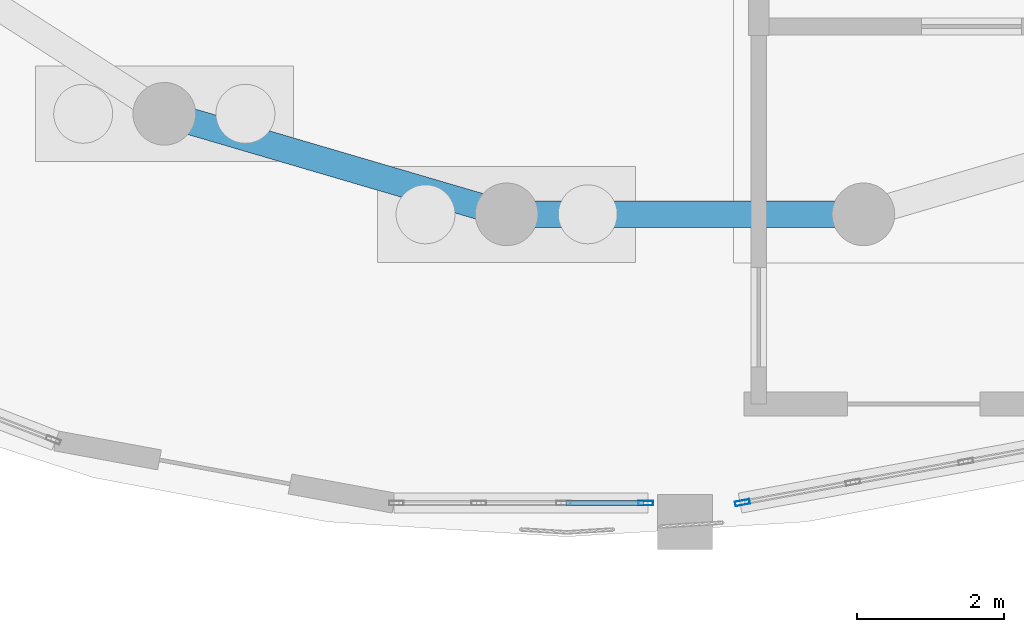
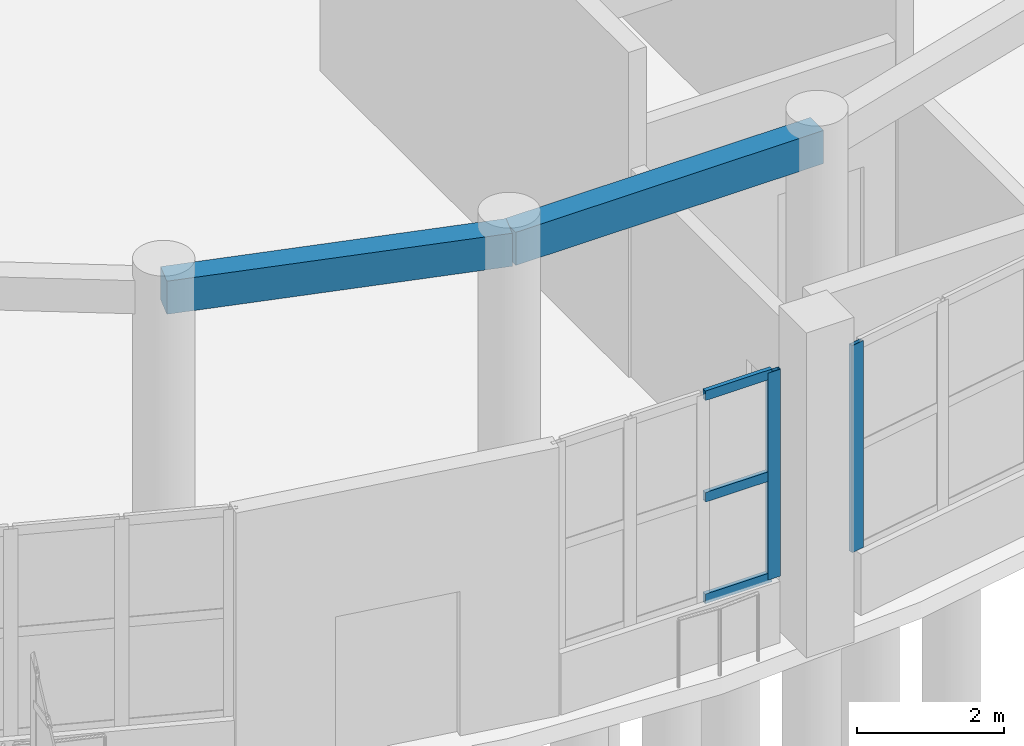
# One storey, part 25 of 96: 5 members, 2 beams, 2 elements without a shape of their own.
"""IFC4 building model written with IfcOpenShell, lengths in metres."""

from ifc_helpers import new_model, si_unit, direction, frame, origin, origin_2d, place, context, subcontext, project, spatial, rectangle, hollow_rectangle, extrude, material, layer, layer_set, material_profile, profile_set, type_object, element, aggregate, save


model = new_model("IFC4")

# Units and contexts
model_context = context("Model", 3, precision=1e-05, world=origin(), true_north=direction((0.0, 1.0)))
body_context = subcontext(model_context, "Body", "Model", "MODEL_VIEW")
ifc_project = project(units=[si_unit("LENGTHUNIT", "METRE"), si_unit("AREAUNIT", "SQUARE_METRE"), si_unit("VOLUMEUNIT", "CUBIC_METRE"), si_unit("PLANEANGLEUNIT", "RADIAN"), si_unit("MASSUNIT", "GRAM", prefix="KILO")], contexts=[model_context])

# Site, building, storey
site_placement = place(None, origin())
site = spatial("IfcSite", under=ifc_project, at=site_placement, CompositionType="ELEMENT")
building_placement = place(site_placement, origin())
building = spatial("IfcBuilding", under=site, at=building_placement, Name="Pelvatis Terrace Science Centre", CompositionType="ELEMENT")
storey_placement = place(building_placement, origin())
storey = spatial("IfcBuildingStorey", under=building, at=storey_placement, Name="L00", CompositionType="ELEMENT", Elevation=0.0)

# Beams
ifc_material_1 = material(Name="Concrete C35/45", Category="concrete")
ifc_material_profile_1 = material_profile(ifc_material_1, rectangle(XDim=0.360107421875, YDim=0.550048828125, at=origin_2d()), Name="RC-BM 360x550")
ifc_profile_set_1 = profile_set([ifc_material_profile_1], Name="Concrete C35/45")
beam_type = type_object("IfcBeamType", Name="BM-RC-360x550", PredefinedType="BEAM", material=ifc_profile_set_1)
beam_1_placement = place(storey_placement, frame((70.93798828125, 39.13623046875, 4.864990234375), z_axis=(0.959487536584, -0.281751073006, 0.0), x_axis=(0.281751073006, 0.959487536584, 0.0)))
element("IfcBeam", 1, at=beam_1_placement, inside=storey, type_object=beam_type, Name="Beam BM-L00-2213", PredefinedType="BEAM", context=body_context, shape_type="SweptSolid", body=[
    extrude(rectangle(XDim=0.360107421875, YDim=0.550048828125, at=origin_2d()), origin(), (0.0, 0.0, 1.0), 4.838623046875),
])
beam_2_placement = place(storey_placement, frame((75.58056640625, 37.77294921875, 4.864990234375), z_axis=(1.0, 0.0, 0.0), x_axis=(0.0, 1.0, 0.0)))
element("IfcBeam", 2, at=beam_2_placement, inside=storey, type_object=beam_type, Name="Beam BM-L00-2214", PredefinedType="BEAM", context=body_context, shape_type="SweptSolid", body=[
    extrude(rectangle(XDim=0.360107421875, YDim=0.550048828125, at=origin_2d()), origin(), (0.0, 0.0, 1.0), 4.8388671875),
])

# Curtain wall, member
ifc_material_2 = material(Name="Bronze-anodised aluminium and laminated glass", Category="aluminium")
ifc_layer = layer(ifc_material_2, 0.199951171875)
ifc_layer_set = layer_set([ifc_layer], Name="Bronze-anodised aluminium and laminated glass")
curtain_wall_type = type_object("IfcCurtainWallType", Name="CW-RIBBON-B", PredefinedType="NOTDEFINED", material=ifc_layer_set)
curtain_wall_1_placement = place(storey_placement, origin())
curtain_wall_1 = element("IfcCurtainWall", 3, at=curtain_wall_1_placement, inside=storey, type_object=curtain_wall_type, Name="Ribbon curtain wall CW-052 (L00)", PredefinedType="NOTDEFINED")
ifc_material_3 = material(Name="Bronze-anodised aluminium 6063-T6", Category="aluminium")
ifc_material_profile_2 = material_profile(ifc_material_3, hollow_rectangle(XDim=0.06494140625, YDim=0.199951171875, WallThickness=0.00439453125, at=origin_2d()), Name="ALU-MUL 65x200")
ifc_profile_set_2 = profile_set([ifc_material_profile_2], Name="Bronze-anodised aluminium 6063-T6")
member_type_1 = type_object("IfcMemberType", Name="CWM-65x200", PredefinedType="MULLION", material=ifc_profile_set_2)
member_1_placement = place(storey_placement, frame((77.467529296875, 33.8564453125, 1.02001953125), z_axis=(0.0, 0.0, 1.0), x_axis=(0.0, 1.0, 0.0)))
member_1 = element("IfcMember", 4, at=member_1_placement, type_object=member_type_1, Name="CW-052 mullion 4", PredefinedType="MULLION", context=body_context, shape_type="SweptSolid", body=[
    extrude(hollow_rectangle(XDim=0.06494140625, YDim=0.199951171875, WallThickness=0.00439453125, at=origin_2d()), origin(), (0.0, 0.0, 1.0), 3.43994140625),
])

curtain_wall_2_placement = place(storey_placement, origin())
curtain_wall_2 = element("IfcCurtainWall", 5, at=curtain_wall_2_placement, inside=storey, type_object=curtain_wall_type, Name="Ribbon curtain wall CW-053 (L00)", PredefinedType="NOTDEFINED")
member_2_placement = place(storey_placement, frame((78.778564453125, 33.8623046875, 1.02001953125), z_axis=(0.0, 0.0, 1.0), x_axis=(-0.181130259216, 0.983459114146, 0.0)))
member_2 = element("IfcMember", 6, at=member_2_placement, type_object=member_type_1, Name="CW-053 mullion 1", PredefinedType="MULLION", context=body_context, shape_type="SweptSolid", body=[
    extrude(hollow_rectangle(XDim=0.06494140625, YDim=0.199951171875, WallThickness=0.00439453125, at=origin_2d()), origin(), (0.0, 0.0, 1.0), 3.43994140625),
])
aggregate(curtain_wall_2, [member_2])

# Member
ifc_material_4 = material(Name="Bronze-anodised aluminium 6063-T6", Category="aluminium")
ifc_material_profile_3 = material_profile(ifc_material_4, hollow_rectangle(XDim=0.06494140625, YDim=0.159912109375, WallThickness=0.00390625, at=origin_2d()), Name="ALU-TRN 65x160")
ifc_profile_set_3 = profile_set([ifc_material_profile_3], Name="Bronze-anodised aluminium 6063-T6")
member_type_2 = type_object("IfcMemberType", Name="CWT-65x160", PredefinedType="USERDEFINED", material=ifc_profile_set_3)
member_3_placement = place(storey_placement, frame((76.383544921875, 33.8564453125, 1.052490234375), z_axis=(1.0, 0.0, 0.0), x_axis=(0.0, 1.0, 0.0)))
member_3 = element("IfcMember", 7, at=member_3_placement, type_object=member_type_2, Name="CW-052 transom 3.1", ObjectType="TRANSOM", PredefinedType="USERDEFINED", context=body_context, shape_type="SweptSolid", body=[
    extrude(hollow_rectangle(XDim=0.06494140625, YDim=0.159912109375, WallThickness=0.00390625, at=origin_2d()), origin(), (0.0, 0.0, 1.0), 1.051513671875),
])

member_4_placement = place(storey_placement, frame((76.383544921875, 33.8564453125, 2.739990234375), z_axis=(1.0, 0.0, 0.0), x_axis=(0.0, 1.0, 0.0)))
member_4 = element("IfcMember", 8, at=member_4_placement, type_object=member_type_2, Name="CW-052 transom 3.2", ObjectType="TRANSOM", PredefinedType="USERDEFINED", context=body_context, shape_type="SweptSolid", body=[
    extrude(hollow_rectangle(XDim=0.06494140625, YDim=0.159912109375, WallThickness=0.00390625, at=origin_2d()), origin(), (0.0, 0.0, 1.0), 1.051513671875),
])

member_5_placement = place(storey_placement, frame((76.383544921875, 33.8564453125, 4.427490234375), z_axis=(1.0, 0.0, 0.0), x_axis=(0.0, 1.0, 0.0)))
member_5 = element("IfcMember", 9, at=member_5_placement, type_object=member_type_2, Name="CW-052 transom 3.3", ObjectType="TRANSOM", PredefinedType="USERDEFINED", context=body_context, shape_type="SweptSolid", body=[
    extrude(hollow_rectangle(XDim=0.06494140625, YDim=0.159912109375, WallThickness=0.00390625, at=origin_2d()), origin(), (0.0, 0.0, 1.0), 1.051513671875),
])

aggregate(curtain_wall_1, [member_1, member_3, member_4, member_5])

save(model, "model.ifc")
